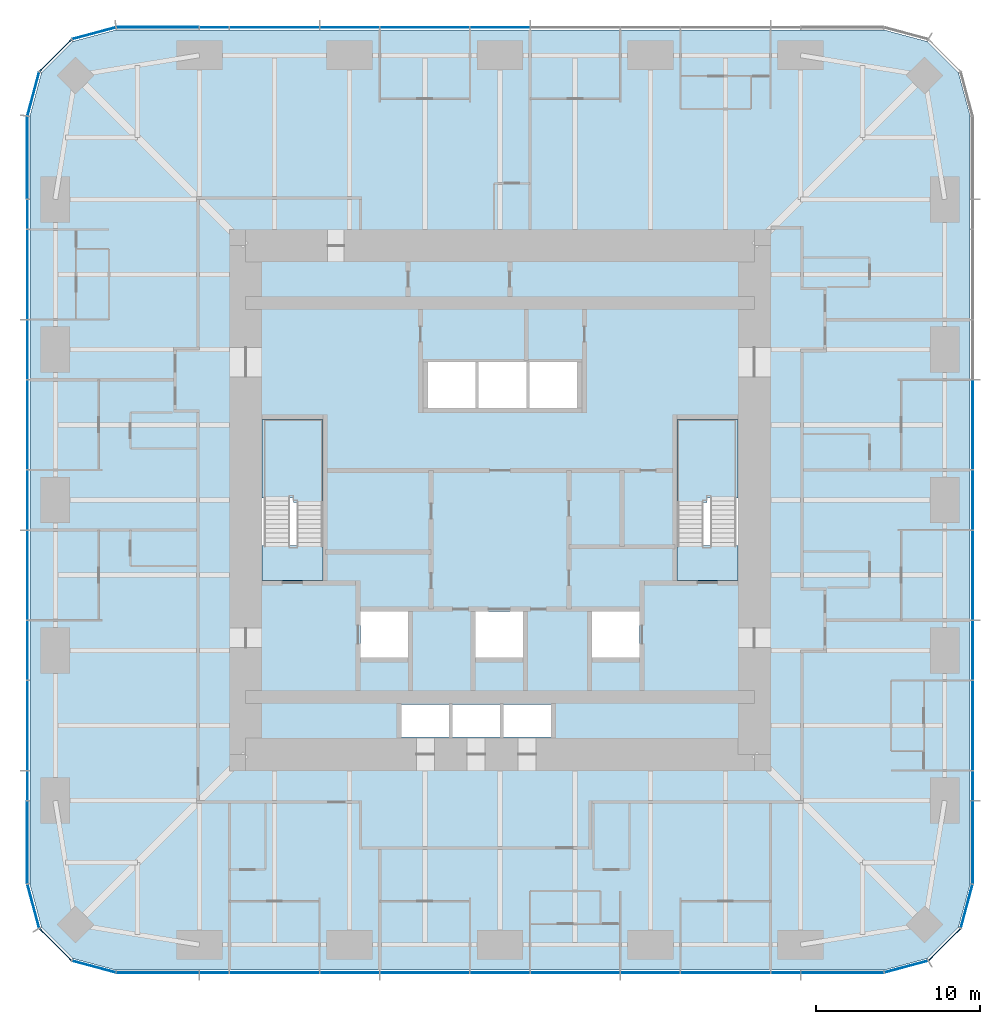
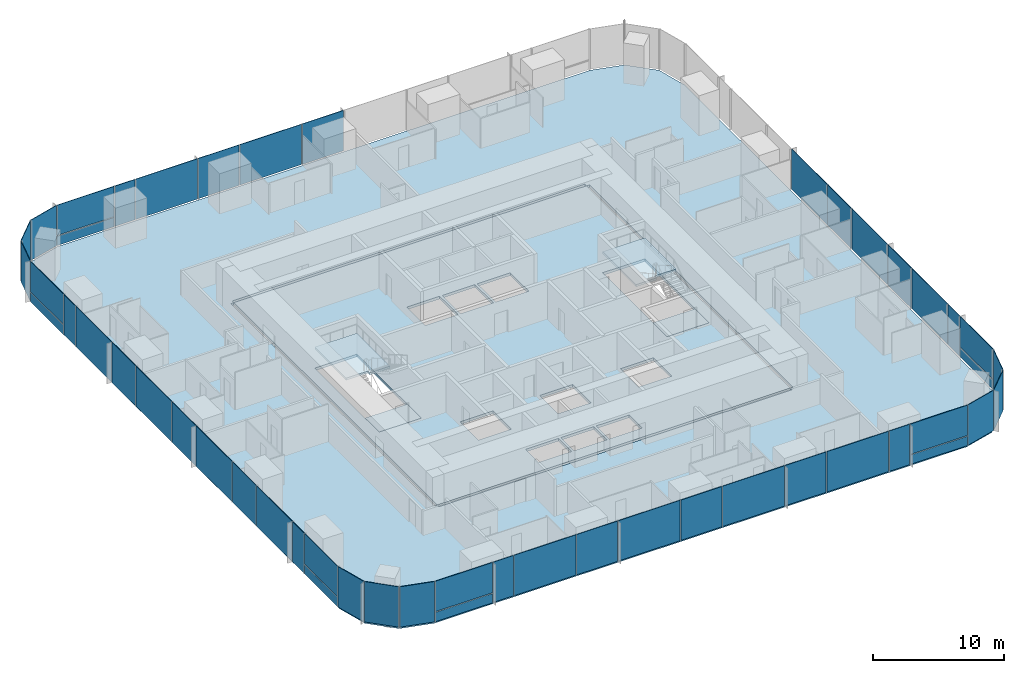
# One storey, part 7 of 13: 50 plates, 6 slabs, 9 elements without a shape of their own.
"""IFC4 building model written with IfcOpenShell, lengths in metres."""

from ifc_helpers import new_model, si_unit, direction, frame, origin, origin_2d, place, context, subcontext, project, spatial, polyline, rectangle, outline, extrude, material, layer, layer_set, type_object, element, aggregate, save


model = new_model("IFC4")

# Units and contexts
model_context = context("Model", 3, precision=1e-05, world=origin(), true_north=direction((0.0, 1.0)))
body_context = subcontext(model_context, "Body", "Model", "MODEL_VIEW")
ifc_project = project(units=[si_unit("LENGTHUNIT", "METRE"), si_unit("AREAUNIT", "SQUARE_METRE"), si_unit("VOLUMEUNIT", "CUBIC_METRE"), si_unit("PLANEANGLEUNIT", "RADIAN"), si_unit("MASSUNIT", "GRAM", prefix="KILO")], contexts=[model_context])

# Site, building, storey
site_placement = place(None, origin())
site = spatial("IfcSite", under=ifc_project, at=site_placement, CompositionType="ELEMENT")
building_placement = place(site_placement, origin())
building = spatial("IfcBuilding", under=site, at=building_placement, Name="Khuree Lantern Residences", CompositionType="ELEMENT")
storey_placement = place(building_placement, frame((0.0, 0.0, 141.0)))
storey = spatial("IfcBuildingStorey", under=building, at=storey_placement, Name="L35", CompositionType="ELEMENT", Elevation=141.0)

# Slab
ifc_material_1 = material(Name="Concrete C35/45", Category="concrete")
ifc_layer_1 = layer(ifc_material_1, 0.25)
ifc_layer_set_1 = layer_set([ifc_layer_1], Name="CFL250 CORE FLOOR SLAB 250")
slab_type_1 = type_object("IfcSlabType", Name="CFL250 CORE FLOOR SLAB 250", PredefinedType="FLOOR", material=ifc_layer_set_1)
slab_1_placement = place(storey_placement, frame((0.0, 0.0, -0.25)))
element("IfcSlab", 1, at=slab_1_placement, inside=storey, type_object=slab_type_1, Name="Core floor L35", PredefinedType="FLOOR", context=body_context, shape_type="SweptSolid", body=[
    extrude(outline(polyline([(-15.5, -15.5), (-15.5, 15.5), (15.5, 15.5), (15.5, -15.5), (-15.5, -15.5)]), holes=[polyline([(10.800048828125, 4.89990234375), (10.800048828125, -4.89990234375), (14.5, -4.89990234375), (14.5, 4.89990234375), (10.800048828125, 4.89990234375)]), polyline([(8.5, -6.800048828125), (5.60009765625, -6.800048828125), (5.60009765625, -9.60009765625), (8.5, -9.60009765625), (8.5, -6.800048828125)]), polyline([(4.699951171875, 8.39990234375), (1.800048828125, 8.39990234375), (1.800048828125, 5.60009765625), (4.699951171875, 5.60009765625), (4.699951171875, 8.39990234375)]), polyline([(3.10009765625, -12.449951171875), (0.199951171875, -12.449951171875), (0.199951171875, -14.449951171875), (3.10009765625, -14.449951171875), (3.10009765625, -12.449951171875)]), polyline([(1.60009765625, 8.39990234375), (-1.300048828125, 8.39990234375), (-1.300048828125, 5.60009765625), (1.60009765625, 5.60009765625), (1.60009765625, 8.39990234375)]), polyline([(1.39990234375, -6.800048828125), (-1.5, -6.800048828125), (-1.5, -9.60009765625), (1.39990234375, -9.60009765625), (1.39990234375, -6.800048828125)]), polyline([(-2.89990234375, -12.449951171875), (-2.89990234375, -14.449951171875), (0.0, -14.449951171875), (0.0, -12.449951171875), (-2.89990234375, -12.449951171875)]), polyline([(-4.39990234375, 8.39990234375), (-4.39990234375, 5.60009765625), (-1.5, 5.60009765625), (-1.5, 8.39990234375), (-4.39990234375, 8.39990234375)]), polyline([(-6.0, -12.449951171875), (-6.0, -14.449951171875), (-3.10009765625, -14.449951171875), (-3.10009765625, -12.449951171875), (-6.0, -12.449951171875)]), polyline([(-8.5, -6.800048828125), (-8.5, -9.60009765625), (-5.60009765625, -9.60009765625), (-5.60009765625, -6.800048828125), (-8.5, -6.800048828125)]), polyline([(-10.800048828125, 4.89990234375), (-14.5, 4.89990234375), (-14.5, -4.89990234375), (-10.800048828125, -4.89990234375), (-10.800048828125, 4.89990234375)])]), origin(), (0.0, 0.0, 1.0), 0.25),
])

# Curtain wall, plates
ifc_material_2 = material(Name="Bronze anodised aluminium", Category="aluminium")
curtain_wall_type_1 = type_object("IfcCurtainWallType", Name="CW-T2 TOWER CORNER CURTAIN WALL", PredefinedType="USERDEFINED", material=ifc_material_2)
curtain_wall_1_placement = place(storey_placement, origin())
curtain_wall_1 = element("IfcCurtainWall", 2, at=curtain_wall_1_placement, inside=storey, type_object=curtain_wall_type_1, Name="L35 SOUTH-EAST CORNER CURTAIN WALL", ObjectType="Faceted corner curtain wall", PredefinedType="USERDEFINED")
ifc_material_3 = material(Name="Bronze tinted triple glazing", Category="glass")
ifc_layer_2 = layer(ifc_material_3, 0.048095703125)
ifc_layer_set_2 = layer_set([ifc_layer_2], Name="FACET PANEL P4")
plate_type_1 = type_object("IfcPlateType", Name="FACET PANEL P4", PredefinedType="CURTAIN_PANEL", material=ifc_layer_set_2)
plate_1_placement = place(storey_placement, frame((24.748046875, -28.438720703125, 0.0), z_axis=(0.0, 0.0, 1.0), x_axis=(0.965925810153, 0.258819105321, 0.0)))
plate_1 = element("IfcPlate", 3, at=plate_1_placement, type_object=plate_type_1, Name="L35 SOUTH-EAST CORNER PANEL 1.1", PredefinedType="CURTAIN_PANEL", context=body_context, shape_type="SweptSolid", body=[
    extrude(rectangle(XDim=2.71923828125, YDim=0.048095703125, at=origin_2d()), origin(), (0.0, 0.0, 1.0), 3.75),
])
plate_2_placement = place(storey_placement, frame((27.08837890625, -27.08837890625, 0.0), z_axis=(0.0, 0.0, 1.0), x_axis=(0.707106781187, 0.707106781187, 0.0)))
plate_2 = element("IfcPlate", 4, at=plate_2_placement, type_object=plate_type_1, Name="L35 SOUTH-EAST CORNER PANEL 2.1", PredefinedType="CURTAIN_PANEL", context=body_context, shape_type="SweptSolid", body=[
    extrude(rectangle(XDim=2.715087890625, YDim=0.048095703125, at=origin_2d()), origin(), (0.0, 0.0, 1.0), 3.75),
])
plate_3_placement = place(storey_placement, frame((28.438720703125, -24.748046875, 0.0), z_axis=(0.0, 0.0, 1.0), x_axis=(0.258819105321, 0.965925810153, 0.0)))
plate_3 = element("IfcPlate", 5, at=plate_3_placement, type_object=plate_type_1, Name="L35 SOUTH-EAST CORNER PANEL 3.1", PredefinedType="CURTAIN_PANEL", context=body_context, shape_type="SweptSolid", body=[
    extrude(rectangle(XDim=2.71923828125, YDim=0.048095703125, at=origin_2d()), origin(), (0.0, 0.0, 1.0), 3.75),
])
aggregate(curtain_wall_1, [plate_1, plate_2, plate_3])

curtain_wall_2_placement = place(storey_placement, origin())
curtain_wall_2 = element("IfcCurtainWall", 6, at=curtain_wall_2_placement, inside=storey, type_object=curtain_wall_type_1, Name="L35 NORTH-WEST CORNER CURTAIN WALL", ObjectType="Faceted corner curtain wall", PredefinedType="USERDEFINED")
plate_4_placement = place(storey_placement, frame((-24.748046875, 28.438720703125, 0.0), z_axis=(0.0, 0.0, 1.0), x_axis=(-0.965925810153, -0.258819105321, 0.0)))
plate_4 = element("IfcPlate", 7, at=plate_4_placement, type_object=plate_type_1, Name="L35 NORTH-WEST CORNER PANEL 29.1", PredefinedType="CURTAIN_PANEL", context=body_context, shape_type="SweptSolid", body=[
    extrude(rectangle(XDim=2.71923828125, YDim=0.048095703125, at=origin_2d()), origin(), (0.0, 0.0, 1.0), 3.75),
])
plate_5_placement = place(storey_placement, frame((-27.08837890625, 27.08837890625, 0.0), z_axis=(0.0, 0.0, 1.0), x_axis=(-0.707106781187, -0.707106781187, 0.0)))
plate_5 = element("IfcPlate", 8, at=plate_5_placement, type_object=plate_type_1, Name="L35 NORTH-WEST CORNER PANEL 30.1", PredefinedType="CURTAIN_PANEL", context=body_context, shape_type="SweptSolid", body=[
    extrude(rectangle(XDim=2.715087890625, YDim=0.048095703125, at=origin_2d()), origin(), (0.0, 0.0, 1.0), 3.75),
])
plate_6_placement = place(storey_placement, frame((-28.438720703125, 24.748046875, 0.0), z_axis=(0.0, 0.0, 1.0), x_axis=(-0.258819105321, -0.965925810153, 0.0)))
plate_6 = element("IfcPlate", 9, at=plate_6_placement, type_object=plate_type_1, Name="L35 NORTH-WEST CORNER PANEL 31.1", PredefinedType="CURTAIN_PANEL", context=body_context, shape_type="SweptSolid", body=[
    extrude(rectangle(XDim=2.71923828125, YDim=0.048095703125, at=origin_2d()), origin(), (0.0, 0.0, 1.0), 3.75),
])
aggregate(curtain_wall_2, [plate_4, plate_5, plate_6])

curtain_wall_3_placement = place(storey_placement, origin())
curtain_wall_3 = element("IfcCurtainWall", 10, at=curtain_wall_3_placement, inside=storey, type_object=curtain_wall_type_1, Name="L35 SOUTH-WEST CORNER CURTAIN WALL", ObjectType="Faceted corner curtain wall", PredefinedType="USERDEFINED")
plate_7_placement = place(storey_placement, frame((-28.438720703125, -24.748046875, 0.0), z_axis=(0.0, 0.0, 1.0), x_axis=(0.258819105321, -0.965925810153, 0.0)))
plate_7 = element("IfcPlate", 11, at=plate_7_placement, type_object=plate_type_1, Name="L35 SOUTH-WEST CORNER PANEL 43.1", PredefinedType="CURTAIN_PANEL", context=body_context, shape_type="SweptSolid", body=[
    extrude(rectangle(XDim=2.71923828125, YDim=0.048095703125, at=origin_2d()), origin(), (0.0, 0.0, 1.0), 3.75),
])
plate_8_placement = place(storey_placement, frame((-27.08837890625, -27.08837890625, 0.0), z_axis=(0.0, 0.0, 1.0), x_axis=(0.707106781187, -0.707106781187, 0.0)))
plate_8 = element("IfcPlate", 12, at=plate_8_placement, type_object=plate_type_1, Name="L35 SOUTH-WEST CORNER PANEL 44.1", PredefinedType="CURTAIN_PANEL", context=body_context, shape_type="SweptSolid", body=[
    extrude(rectangle(XDim=2.715087890625, YDim=0.048095703125, at=origin_2d()), origin(), (0.0, 0.0, 1.0), 3.75),
])
plate_9_placement = place(storey_placement, frame((-24.748046875, -28.438720703125, 0.0), z_axis=(0.0, 0.0, 1.0), x_axis=(0.965925810153, -0.258819105321, 0.0)))
plate_9 = element("IfcPlate", 13, at=plate_9_placement, type_object=plate_type_1, Name="L35 SOUTH-WEST CORNER PANEL 45.1", PredefinedType="CURTAIN_PANEL", context=body_context, shape_type="SweptSolid", body=[
    extrude(rectangle(XDim=2.71923828125, YDim=0.048095703125, at=origin_2d()), origin(), (0.0, 0.0, 1.0), 3.75),
])
aggregate(curtain_wall_3, [plate_7, plate_8, plate_9])

curtain_wall_type_2 = type_object("IfcCurtainWallType", Name="CW-T1 TOWER FACE CURTAIN WALL", PredefinedType="USERDEFINED", material=ifc_material_2)
curtain_wall_4_placement = place(storey_placement, origin())
curtain_wall_4 = element("IfcCurtainWall", 14, at=curtain_wall_4_placement, inside=storey, type_object=curtain_wall_type_2, Name="L35 EAST FACE CURTAIN WALL", ObjectType="Stick-built curtain wall", PredefinedType="USERDEFINED")
ifc_material_4 = material(Name="Bronze tinted triple glazing with a ceramic-fritted spandrel band", Category="glass")
ifc_layer_3 = layer(ifc_material_4, 0.048095703125)
ifc_layer_set_3 = layer_set([ifc_layer_3], Name="FIXED LIGHT PANEL P11")
plate_type_2 = type_object("IfcPlateType", Name="FIXED LIGHT PANEL P11", PredefinedType="CURTAIN_PANEL", material=ifc_layer_set_3)
plate_10_placement = place(storey_placement, frame((28.800048828125, -13.739990234375, 0.0), z_axis=(0.0, 0.0, 1.0), x_axis=(0.0, 1.0, 0.0)))
plate_10 = element("IfcPlate", 15, at=plate_10_placement, type_object=plate_type_2, Name="L35 EAST FACE PANEL 6.1", PredefinedType="CURTAIN_PANEL", context=body_context, shape_type="SweptSolid", body=[
    extrude(rectangle(XDim=5.430908203125, YDim=0.048095703125, at=origin_2d()), origin(), (0.0, 0.0, 1.0), 3.75),
])
plate_11_placement = place(storey_placement, frame((28.800048828125, -4.580078125, 0.0), z_axis=(0.0, 0.0, 1.0), x_axis=(0.0, 1.0, 0.0)))
plate_11 = element("IfcPlate", 16, at=plate_11_placement, type_object=plate_type_2, Name="L35 EAST FACE PANEL 8.1", PredefinedType="CURTAIN_PANEL", context=body_context, shape_type="SweptSolid", body=[
    extrude(rectangle(XDim=5.430908203125, YDim=0.048095703125, at=origin_2d()), origin(), (0.0, 0.0, 1.0), 3.75),
])
plate_12_placement = place(storey_placement, frame((28.800048828125, 4.580078125, 0.0), z_axis=(0.0, 0.0, 1.0), x_axis=(0.0, 1.0, 0.0)))
plate_12 = element("IfcPlate", 17, at=plate_12_placement, type_object=plate_type_2, Name="L35 EAST FACE PANEL 10.1", PredefinedType="CURTAIN_PANEL", context=body_context, shape_type="SweptSolid", body=[
    extrude(rectangle(XDim=5.430908203125, YDim=0.048095703125, at=origin_2d()), origin(), (0.0, 0.0, 1.0), 3.75),
])

curtain_wall_5_placement = place(storey_placement, origin())
curtain_wall_5 = element("IfcCurtainWall", 18, at=curtain_wall_5_placement, inside=storey, type_object=curtain_wall_type_2, Name="L35 NORTH FACE CURTAIN WALL", ObjectType="Stick-built curtain wall", PredefinedType="USERDEFINED")
plate_13_placement = place(storey_placement, frame((-4.580078125, 28.800048828125, 0.0), z_axis=(0.0, 0.0, 1.0), x_axis=(-1.0, 0.0, 0.0)))
plate_13 = element("IfcPlate", 19, at=plate_13_placement, type_object=plate_type_2, Name="L35 NORTH FACE PANEL 24.1", PredefinedType="CURTAIN_PANEL", context=body_context, shape_type="SweptSolid", body=[
    extrude(rectangle(XDim=5.430908203125, YDim=0.048095703125, at=origin_2d()), origin(), (0.0, 0.0, 1.0), 3.75),
])
plate_14_placement = place(storey_placement, frame((-13.739990234375, 28.800048828125, 0.0), z_axis=(0.0, 0.0, 1.0), x_axis=(-1.0, 0.0, 0.0)))
plate_14 = element("IfcPlate", 20, at=plate_14_placement, type_object=plate_type_2, Name="L35 NORTH FACE PANEL 26.1", PredefinedType="CURTAIN_PANEL", context=body_context, shape_type="SweptSolid", body=[
    extrude(rectangle(XDim=5.430908203125, YDim=0.048095703125, at=origin_2d()), origin(), (0.0, 0.0, 1.0), 3.75),
])

curtain_wall_6_placement = place(storey_placement, origin())
curtain_wall_6 = element("IfcCurtainWall", 21, at=curtain_wall_6_placement, inside=storey, type_object=curtain_wall_type_2, Name="L35 WEST FACE CURTAIN WALL", ObjectType="Stick-built curtain wall", PredefinedType="USERDEFINED")
plate_15_placement = place(storey_placement, frame((-28.800048828125, 13.739990234375, 0.0), z_axis=(0.0, 0.0, 1.0), x_axis=(0.0, -1.0, 0.0)))
plate_15 = element("IfcPlate", 22, at=plate_15_placement, type_object=plate_type_2, Name="L35 WEST FACE PANEL 34.1", PredefinedType="CURTAIN_PANEL", context=body_context, shape_type="SweptSolid", body=[
    extrude(rectangle(XDim=5.430908203125, YDim=0.048095703125, at=origin_2d()), origin(), (0.0, 0.0, 1.0), 3.75),
])
plate_16_placement = place(storey_placement, frame((-28.800048828125, 4.580078125, 0.0), z_axis=(0.0, 0.0, 1.0), x_axis=(0.0, -1.0, 0.0)))
plate_16 = element("IfcPlate", 23, at=plate_16_placement, type_object=plate_type_2, Name="L35 WEST FACE PANEL 36.1", PredefinedType="CURTAIN_PANEL", context=body_context, shape_type="SweptSolid", body=[
    extrude(rectangle(XDim=5.430908203125, YDim=0.048095703125, at=origin_2d()), origin(), (0.0, 0.0, 1.0), 3.75),
])
plate_17_placement = place(storey_placement, frame((-28.800048828125, -4.580078125, 0.0), z_axis=(0.0, 0.0, 1.0), x_axis=(0.0, -1.0, 0.0)))
plate_17 = element("IfcPlate", 24, at=plate_17_placement, type_object=plate_type_2, Name="L35 WEST FACE PANEL 38.1", PredefinedType="CURTAIN_PANEL", context=body_context, shape_type="SweptSolid", body=[
    extrude(rectangle(XDim=5.430908203125, YDim=0.048095703125, at=origin_2d()), origin(), (0.0, 0.0, 1.0), 3.75),
])
plate_18_placement = place(storey_placement, frame((-28.800048828125, -13.739990234375, 0.0), z_axis=(0.0, 0.0, 1.0), x_axis=(0.0, -1.0, 0.0)))
plate_18 = element("IfcPlate", 25, at=plate_18_placement, type_object=plate_type_2, Name="L35 WEST FACE PANEL 40.1", PredefinedType="CURTAIN_PANEL", context=body_context, shape_type="SweptSolid", body=[
    extrude(rectangle(XDim=5.430908203125, YDim=0.048095703125, at=origin_2d()), origin(), (0.0, 0.0, 1.0), 3.75),
])

curtain_wall_7_placement = place(storey_placement, origin())
curtain_wall_7 = element("IfcCurtainWall", 26, at=curtain_wall_7_placement, inside=storey, type_object=curtain_wall_type_2, Name="L35 SOUTH FACE CURTAIN WALL", ObjectType="Stick-built curtain wall", PredefinedType="USERDEFINED")
plate_19_placement = place(storey_placement, frame((-13.739990234375, -28.800048828125, 0.0), z_axis=(0.0, 0.0, 1.0), x_axis=(1.0, 0.0, 0.0)))
plate_19 = element("IfcPlate", 27, at=plate_19_placement, type_object=plate_type_2, Name="L35 SOUTH FACE PANEL 48.1", PredefinedType="CURTAIN_PANEL", context=body_context, shape_type="SweptSolid", body=[
    extrude(rectangle(XDim=5.430908203125, YDim=0.048095703125, at=origin_2d()), origin(), (0.0, 0.0, 1.0), 3.75),
])
plate_20_placement = place(storey_placement, frame((-4.580078125, -28.800048828125, 0.0), z_axis=(0.0, 0.0, 1.0), x_axis=(1.0, 0.0, 0.0)))
plate_20 = element("IfcPlate", 28, at=plate_20_placement, type_object=plate_type_2, Name="L35 SOUTH FACE PANEL 50.1", PredefinedType="CURTAIN_PANEL", context=body_context, shape_type="SweptSolid", body=[
    extrude(rectangle(XDim=5.430908203125, YDim=0.048095703125, at=origin_2d()), origin(), (0.0, 0.0, 1.0), 3.75),
])
plate_21_placement = place(storey_placement, frame((4.580078125, -28.800048828125, 0.0), z_axis=(0.0, 0.0, 1.0), x_axis=(1.0, 0.0, 0.0)))
plate_21 = element("IfcPlate", 29, at=plate_21_placement, type_object=plate_type_2, Name="L35 SOUTH FACE PANEL 52.1", PredefinedType="CURTAIN_PANEL", context=body_context, shape_type="SweptSolid", body=[
    extrude(rectangle(XDim=5.430908203125, YDim=0.048095703125, at=origin_2d()), origin(), (0.0, 0.0, 1.0), 3.75),
])
plate_22_placement = place(storey_placement, frame((13.739990234375, -28.800048828125, 0.0), z_axis=(0.0, 0.0, 1.0), x_axis=(1.0, 0.0, 0.0)))
plate_22 = element("IfcPlate", 30, at=plate_22_placement, type_object=plate_type_2, Name="L35 SOUTH FACE PANEL 54.1", PredefinedType="CURTAIN_PANEL", context=body_context, shape_type="SweptSolid", body=[
    extrude(rectangle(XDim=5.430908203125, YDim=0.048095703125, at=origin_2d()), origin(), (0.0, 0.0, 1.0), 3.75),
])

# Slab
ifc_layer_4 = layer(ifc_material_1, 0.25)
ifc_layer_set_4 = layer_set([ifc_layer_4], Name="FS250 FLOOR SLAB 250")
slab_type_2 = type_object("IfcSlabType", Name="FS250 FLOOR SLAB 250", PredefinedType="FLOOR", material=ifc_layer_set_4)
slab_2_placement = place(storey_placement, frame((0.0, 0.0, -0.25)))
element("IfcSlab", 31, at=slab_2_placement, inside=storey, type_object=slab_type_2, Name="Floor slab L35", PredefinedType="FLOOR", context=body_context, shape_type="SweptSolid", body=[
    extrude(outline(polyline([(-26.02490234375, -27.946533203125), (-27.946533203125, -26.02490234375), (-28.64990234375, -23.39990234375), (-28.64990234375, 23.39990234375), (-27.946533203125, 26.02490234375), (-26.02490234375, 27.946533203125), (-23.39990234375, 28.64990234375), (23.39990234375, 28.64990234375), (26.02490234375, 27.946533203125), (27.946533203125, 26.02490234375), (28.64990234375, 23.39990234375), (28.64990234375, -23.39990234375), (27.946533203125, -26.02490234375), (26.02490234375, -27.946533203125), (23.39990234375, -28.64990234375), (-23.39990234375, -28.64990234375), (-26.02490234375, -27.946533203125)]), holes=[polyline([(15.75, 15.5), (15.5, 15.5), (15.5, 15.75), (-15.5, 15.75), (-15.5, 15.5), (-15.75, 15.5), (-15.75, -15.5), (-15.5, -15.5), (-15.5, -15.75), (15.5, -15.75), (15.5, -15.5), (15.75, -15.5), (15.75, 15.5)])]), origin(), (0.0, 0.0, 1.0), 0.25),
])

# Plate
ifc_material_5 = material(Name="Bronze tinted triple glazing, two aluminium-framed sashes in one frame", Category="aluminium")
ifc_layer_5 = layer(ifc_material_5, 0.048095703125)
ifc_layer_set_5 = layer_set([ifc_layer_5], Name="SASH PAIR PANEL P12")
plate_type_3 = type_object("IfcPlateType", Name="SASH PAIR PANEL P12", PredefinedType="CURTAIN_PANEL", material=ifc_layer_set_5)
plate_23_placement = place(storey_placement, frame((28.800048828125, -9.159912109375, 0.0), z_axis=(0.0, 0.0, 1.0), x_axis=(0.0, 1.0, 0.0)))
plate_23 = element("IfcPlate", 32, at=plate_23_placement, type_object=plate_type_3, Name="L35 EAST FACE PANEL 7.1", PredefinedType="CURTAIN_PANEL", context=body_context, shape_type="SweptSolid", body=[
    extrude(rectangle(XDim=3.59912109375, YDim=0.048095703125, at=origin_2d()), origin(), (0.0, 0.0, 1.0), 3.75),
])

plate_24_placement = place(storey_placement, frame((28.800048828125, 0.0, 0.0), z_axis=(0.0, 0.0, 1.0), x_axis=(0.0, 1.0, 0.0)))
plate_24 = element("IfcPlate", 33, at=plate_24_placement, type_object=plate_type_3, Name="L35 EAST FACE PANEL 9.1", PredefinedType="CURTAIN_PANEL", context=body_context, shape_type="SweptSolid", body=[
    extrude(rectangle(XDim=3.59912109375, YDim=0.048095703125, at=origin_2d()), origin(), (0.0, 0.0, 1.0), 3.75),
])

plate_25_placement = place(storey_placement, frame((0.0, 28.800048828125, 0.0), z_axis=(0.0, 0.0, 1.0), x_axis=(-1.0, 0.0, 0.0)))
plate_25 = element("IfcPlate", 34, at=plate_25_placement, type_object=plate_type_3, Name="L35 NORTH FACE PANEL 23.1", PredefinedType="CURTAIN_PANEL", context=body_context, shape_type="SweptSolid", body=[
    extrude(rectangle(XDim=3.59912109375, YDim=0.048095703125, at=origin_2d()), origin(), (0.0, 0.0, 1.0), 3.75),
])

plate_26_placement = place(storey_placement, frame((-9.159912109375, 28.800048828125, 0.0), z_axis=(0.0, 0.0, 1.0), x_axis=(-1.0, 0.0, 0.0)))
plate_26 = element("IfcPlate", 35, at=plate_26_placement, type_object=plate_type_3, Name="L35 NORTH FACE PANEL 25.1", PredefinedType="CURTAIN_PANEL", context=body_context, shape_type="SweptSolid", body=[
    extrude(rectangle(XDim=3.59912109375, YDim=0.048095703125, at=origin_2d()), origin(), (0.0, 0.0, 1.0), 3.75),
])

plate_27_placement = place(storey_placement, frame((-28.800048828125, 9.159912109375, 0.0), z_axis=(0.0, 0.0, 1.0), x_axis=(0.0, -1.0, 0.0)))
plate_27 = element("IfcPlate", 36, at=plate_27_placement, type_object=plate_type_3, Name="L35 WEST FACE PANEL 35.1", PredefinedType="CURTAIN_PANEL", context=body_context, shape_type="SweptSolid", body=[
    extrude(rectangle(XDim=3.59912109375, YDim=0.048095703125, at=origin_2d()), origin(), (0.0, 0.0, 1.0), 3.75),
])

plate_28_placement = place(storey_placement, frame((-28.800048828125, 0.0, 0.0), z_axis=(0.0, 0.0, 1.0), x_axis=(0.0, -1.0, 0.0)))
plate_28 = element("IfcPlate", 37, at=plate_28_placement, type_object=plate_type_3, Name="L35 WEST FACE PANEL 37.1", PredefinedType="CURTAIN_PANEL", context=body_context, shape_type="SweptSolid", body=[
    extrude(rectangle(XDim=3.59912109375, YDim=0.048095703125, at=origin_2d()), origin(), (0.0, 0.0, 1.0), 3.75),
])

plate_29_placement = place(storey_placement, frame((-28.800048828125, -9.159912109375, 0.0), z_axis=(0.0, 0.0, 1.0), x_axis=(0.0, -1.0, 0.0)))
plate_29 = element("IfcPlate", 38, at=plate_29_placement, type_object=plate_type_3, Name="L35 WEST FACE PANEL 39.1", PredefinedType="CURTAIN_PANEL", context=body_context, shape_type="SweptSolid", body=[
    extrude(rectangle(XDim=3.59912109375, YDim=0.048095703125, at=origin_2d()), origin(), (0.0, 0.0, 1.0), 3.75),
])

plate_30_placement = place(storey_placement, frame((-9.159912109375, -28.800048828125, 0.0), z_axis=(0.0, 0.0, 1.0), x_axis=(1.0, 0.0, 0.0)))
plate_30 = element("IfcPlate", 39, at=plate_30_placement, type_object=plate_type_3, Name="L35 SOUTH FACE PANEL 49.1", PredefinedType="CURTAIN_PANEL", context=body_context, shape_type="SweptSolid", body=[
    extrude(rectangle(XDim=3.59912109375, YDim=0.048095703125, at=origin_2d()), origin(), (0.0, 0.0, 1.0), 3.75),
])

plate_31_placement = place(storey_placement, frame((0.0, -28.800048828125, 0.0), z_axis=(0.0, 0.0, 1.0), x_axis=(1.0, 0.0, 0.0)))
plate_31 = element("IfcPlate", 40, at=plate_31_placement, type_object=plate_type_3, Name="L35 SOUTH FACE PANEL 51.1", PredefinedType="CURTAIN_PANEL", context=body_context, shape_type="SweptSolid", body=[
    extrude(rectangle(XDim=3.59912109375, YDim=0.048095703125, at=origin_2d()), origin(), (0.0, 0.0, 1.0), 3.75),
])

plate_32_placement = place(storey_placement, frame((9.159912109375, -28.800048828125, 0.0), z_axis=(0.0, 0.0, 1.0), x_axis=(1.0, 0.0, 0.0)))
plate_32 = element("IfcPlate", 41, at=plate_32_placement, type_object=plate_type_3, Name="L35 SOUTH FACE PANEL 53.1", PredefinedType="CURTAIN_PANEL", context=body_context, shape_type="SweptSolid", body=[
    extrude(rectangle(XDim=3.59912109375, YDim=0.048095703125, at=origin_2d()), origin(), (0.0, 0.0, 1.0), 3.75),
])

ifc_material_6 = material(Name="Bronze tinted triple glazing, aluminium-framed sash", Category="aluminium")
ifc_layer_6 = layer(ifc_material_6, 0.048095703125)
ifc_layer_set_6 = layer_set([ifc_layer_6], Name="SASH PANEL P3")
plate_type_4 = type_object("IfcPlateType", Name="SASH PANEL P3", PredefinedType="CURTAIN_PANEL", material=ifc_layer_set_6)
plate_33_placement = place(storey_placement, frame((28.800048828125, -17.404052734375, 0.0), z_axis=(0.0, 0.0, 1.0), x_axis=(0.0, 1.0, 0.0)))
plate_33 = element("IfcPlate", 42, at=plate_33_placement, type_object=plate_type_4, Name="L35 EAST FACE PANEL 5.1", PredefinedType="CURTAIN_PANEL", context=body_context, shape_type="SweptSolid", body=[
    extrude(rectangle(XDim=1.76708984375, YDim=0.048095703125, at=origin_2d()), origin(), (0.0, 0.0, 1.0), 3.75),
])

plate_34_placement = place(storey_placement, frame((-17.404052734375, 28.800048828125, 0.0), z_axis=(0.0, 0.0, 1.0), x_axis=(-1.0, 0.0, 0.0)))
plate_34 = element("IfcPlate", 43, at=plate_34_placement, type_object=plate_type_4, Name="L35 NORTH FACE PANEL 27.1", PredefinedType="CURTAIN_PANEL", context=body_context, shape_type="SweptSolid", body=[
    extrude(rectangle(XDim=1.76708984375, YDim=0.048095703125, at=origin_2d()), origin(), (0.0, 0.0, 1.0), 3.75),
])

plate_35_placement = place(storey_placement, frame((-28.800048828125, 17.404052734375, 0.0), z_axis=(0.0, 0.0, 1.0), x_axis=(0.0, -1.0, 0.0)))
plate_35 = element("IfcPlate", 44, at=plate_35_placement, type_object=plate_type_4, Name="L35 WEST FACE PANEL 33.1", PredefinedType="CURTAIN_PANEL", context=body_context, shape_type="SweptSolid", body=[
    extrude(rectangle(XDim=1.76708984375, YDim=0.048095703125, at=origin_2d()), origin(), (0.0, 0.0, 1.0), 3.75),
])

plate_36_placement = place(storey_placement, frame((-28.800048828125, -17.404052734375, 0.0), z_axis=(0.0, 0.0, 1.0), x_axis=(0.0, -1.0, 0.0)))
plate_36 = element("IfcPlate", 45, at=plate_36_placement, type_object=plate_type_4, Name="L35 WEST FACE PANEL 41.1", PredefinedType="CURTAIN_PANEL", context=body_context, shape_type="SweptSolid", body=[
    extrude(rectangle(XDim=1.76708984375, YDim=0.048095703125, at=origin_2d()), origin(), (0.0, 0.0, 1.0), 3.75),
])

plate_37_placement = place(storey_placement, frame((-17.404052734375, -28.800048828125, 0.0), z_axis=(0.0, 0.0, 1.0), x_axis=(1.0, 0.0, 0.0)))
plate_37 = element("IfcPlate", 46, at=plate_37_placement, type_object=plate_type_4, Name="L35 SOUTH FACE PANEL 47.1", PredefinedType="CURTAIN_PANEL", context=body_context, shape_type="SweptSolid", body=[
    extrude(rectangle(XDim=1.76708984375, YDim=0.048095703125, at=origin_2d()), origin(), (0.0, 0.0, 1.0), 3.75),
])

plate_38_placement = place(storey_placement, frame((17.404052734375, -28.800048828125, 0.0), z_axis=(0.0, 0.0, 1.0), x_axis=(1.0, 0.0, 0.0)))
plate_38 = element("IfcPlate", 47, at=plate_38_placement, type_object=plate_type_4, Name="L35 SOUTH FACE PANEL 55.1", PredefinedType="CURTAIN_PANEL", context=body_context, shape_type="SweptSolid", body=[
    extrude(rectangle(XDim=1.76708984375, YDim=0.048095703125, at=origin_2d()), origin(), (0.0, 0.0, 1.0), 3.75),
])

ifc_material_7 = material(Name="Bronze anodised aluminium insulated spandrel", Category="aluminium")
ifc_layer_7 = layer(ifc_material_7, 0.06005859375)
ifc_layer_set_7 = layer_set([ifc_layer_7], Name="SPANDREL PANEL P2")
plate_type_5 = type_object("IfcPlateType", Name="SPANDREL PANEL P2", PredefinedType="CURTAIN_PANEL", material=ifc_layer_set_7)
plate_39_placement = place(storey_placement, frame((28.800048828125, -20.85791015625, 0.0), z_axis=(0.0, 0.0, 1.0), x_axis=(0.0, 1.0, 0.0)))
plate_39 = element("IfcPlate", 48, at=plate_39_placement, type_object=plate_type_5, Name="L35 EAST FACE PANEL 4.1", PredefinedType="CURTAIN_PANEL", context=body_context, shape_type="SweptSolid", body=[
    extrude(rectangle(XDim=5.0107421875, YDim=0.06005859375, at=origin_2d()), origin(), (0.0, 0.0, 1.0), 0.867431640625),
])

plate_40_placement = place(storey_placement, frame((-20.85791015625, 28.800048828125, 0.0), z_axis=(0.0, 0.0, 1.0), x_axis=(-1.0, 0.0, 0.0)))
plate_40 = element("IfcPlate", 49, at=plate_40_placement, type_object=plate_type_5, Name="L35 NORTH FACE PANEL 28.1", PredefinedType="CURTAIN_PANEL", context=body_context, shape_type="SweptSolid", body=[
    extrude(rectangle(XDim=5.0107421875, YDim=0.06005859375, at=origin_2d()), origin(), (0.0, 0.0, 1.0), 0.867431640625),
])

plate_41_placement = place(storey_placement, frame((-28.800048828125, 20.85791015625, 0.0), z_axis=(0.0, 0.0, 1.0), x_axis=(0.0, -1.0, 0.0)))
plate_41 = element("IfcPlate", 50, at=plate_41_placement, type_object=plate_type_5, Name="L35 WEST FACE PANEL 32.1", PredefinedType="CURTAIN_PANEL", context=body_context, shape_type="SweptSolid", body=[
    extrude(rectangle(XDim=5.0107421875, YDim=0.06005859375, at=origin_2d()), origin(), (0.0, 0.0, 1.0), 0.867431640625),
])

plate_42_placement = place(storey_placement, frame((-28.800048828125, -20.85791015625, 0.0), z_axis=(0.0, 0.0, 1.0), x_axis=(0.0, -1.0, 0.0)))
plate_42 = element("IfcPlate", 51, at=plate_42_placement, type_object=plate_type_5, Name="L35 WEST FACE PANEL 42.1", PredefinedType="CURTAIN_PANEL", context=body_context, shape_type="SweptSolid", body=[
    extrude(rectangle(XDim=5.0107421875, YDim=0.06005859375, at=origin_2d()), origin(), (0.0, 0.0, 1.0), 0.867431640625),
])

plate_43_placement = place(storey_placement, frame((-20.85791015625, -28.800048828125, 0.0), z_axis=(0.0, 0.0, 1.0), x_axis=(1.0, 0.0, 0.0)))
plate_43 = element("IfcPlate", 52, at=plate_43_placement, type_object=plate_type_5, Name="L35 SOUTH FACE PANEL 46.1", PredefinedType="CURTAIN_PANEL", context=body_context, shape_type="SweptSolid", body=[
    extrude(rectangle(XDim=5.0107421875, YDim=0.06005859375, at=origin_2d()), origin(), (0.0, 0.0, 1.0), 0.867431640625),
])

plate_44_placement = place(storey_placement, frame((20.85791015625, -28.800048828125, 0.0), z_axis=(0.0, 0.0, 1.0), x_axis=(1.0, 0.0, 0.0)))
plate_44 = element("IfcPlate", 53, at=plate_44_placement, type_object=plate_type_5, Name="L35 SOUTH FACE PANEL 56.1", PredefinedType="CURTAIN_PANEL", context=body_context, shape_type="SweptSolid", body=[
    extrude(rectangle(XDim=5.0107421875, YDim=0.06005859375, at=origin_2d()), origin(), (0.0, 0.0, 1.0), 0.867431640625),
])

# Stair, slabs
ifc_material_8 = material(Name="Concrete C40/50", Category="concrete")
stair_type = type_object("IfcStairType", Name="STAIR ST1 HALF TURN 3600", PredefinedType="HALF_TURN_STAIR", material=ifc_material_8)
stair_1_placement = place(storey_placement, origin())
stair_1 = element("IfcStair", 54, at=stair_1_placement, inside=storey, type_object=stair_type, Name="Stair ST1", PredefinedType="HALF_TURN_STAIR")
ifc_layer_8 = layer(ifc_material_8, 0.199951171875)
ifc_layer_set_8 = layer_set([ifc_layer_8], Name="STAIR LANDING SL1 200")
slab_type_3 = type_object("IfcSlabType", Name="STAIR LANDING SL1 200", PredefinedType="LANDING", material=ifc_layer_set_8)
slab_3_placement = place(storey_placement, frame((0.0, 0.0, -0.199951171875)))
slab_3 = element("IfcSlab", 55, at=slab_3_placement, type_object=slab_type_3, Name="ST1 landing 1", PredefinedType="LANDING", context=body_context, shape_type="SweptSolid", body=[
    extrude(outline(polyline([(-14.5, -4.89990234375), (-10.800048828125, -4.89990234375), (-10.800048828125, -2.760009765625), (-14.5, -2.760009765625), (-14.5, -4.89990234375)])), origin(), (0.0, 0.0, 1.0), 0.199951171875),
])
slab_4_placement = place(storey_placement, frame((0.0, 0.0, 1.756591796875)))
slab_4 = element("IfcSlab", 56, at=slab_4_placement, type_object=slab_type_3, Name="ST1 landing 2", PredefinedType="LANDING", context=body_context, shape_type="SweptSolid", body=[
    extrude(outline(polyline([(-14.5, 0.1201171875), (-14.5, 4.89990234375), (-10.800048828125, 4.89990234375), (-10.800048828125, -0.159912109375), (-12.60009765625, -0.159912109375), (-12.60009765625, 0.1201171875), (-14.5, 0.1201171875)])), origin(), (0.0, 0.0, 1.0), 0.199951171875),
])
aggregate(stair_1, [slab_3, slab_4])

stair_2_placement = place(storey_placement, origin())
stair_2 = element("IfcStair", 57, at=stair_2_placement, inside=storey, type_object=stair_type, Name="Stair ST2", PredefinedType="HALF_TURN_STAIR")
slab_5_placement = place(storey_placement, frame((0.0, 0.0, -0.199951171875)))
slab_5 = element("IfcSlab", 58, at=slab_5_placement, type_object=slab_type_3, Name="ST2 landing 1", PredefinedType="LANDING", context=body_context, shape_type="SweptSolid", body=[
    extrude(outline(polyline([(10.800048828125, -4.89990234375), (14.5, -4.89990234375), (14.5, -2.760009765625), (10.800048828125, -2.760009765625), (10.800048828125, -4.89990234375)])), origin(), (0.0, 0.0, 1.0), 0.199951171875),
])
slab_6_placement = place(storey_placement, frame((0.0, 0.0, 1.756591796875)))
slab_6 = element("IfcSlab", 59, at=slab_6_placement, type_object=slab_type_3, Name="ST2 landing 2", PredefinedType="LANDING", context=body_context, shape_type="SweptSolid", body=[
    extrude(outline(polyline([(14.5, 4.89990234375), (14.5, 0.1201171875), (12.60009765625, 0.1201171875), (12.60009765625, -0.159912109375), (10.800048828125, -0.159912109375), (10.800048828125, 4.89990234375), (14.5, 4.89990234375)])), origin(), (0.0, 0.0, 1.0), 0.199951171875),
])
aggregate(stair_2, [slab_5, slab_6])

# Plate
ifc_layer_9 = layer(ifc_material_3, 0.048095703125)
ifc_layer_set_9 = layer_set([ifc_layer_9], Name="VISION PANEL P1")
plate_type_6 = type_object("IfcPlateType", Name="VISION PANEL P1", PredefinedType="CURTAIN_PANEL", material=ifc_layer_set_9)
plate_45_placement = place(storey_placement, frame((28.800048828125, -20.8583984375, 0.9326171875), z_axis=(0.0, 0.0, 1.0), x_axis=(0.0, 1.0, 0.0)))
plate_45 = element("IfcPlate", 60, at=plate_45_placement, type_object=plate_type_6, Name="L35 EAST FACE PANEL 4.2", PredefinedType="CURTAIN_PANEL", context=body_context, shape_type="SweptSolid", body=[
    extrude(rectangle(XDim=5.011474609375, YDim=0.048095703125, at=origin_2d()), origin(), (0.0, 0.0, 1.0), 2.8173828125),
])

aggregate(curtain_wall_4, [plate_39, plate_45, plate_33, plate_10, plate_23, plate_11, plate_24, plate_12])

plate_46_placement = place(storey_placement, frame((-20.8583984375, 28.800048828125, 0.9326171875), z_axis=(0.0, 0.0, 1.0), x_axis=(-1.0, 0.0, 0.0)))
plate_46 = element("IfcPlate", 61, at=plate_46_placement, type_object=plate_type_6, Name="L35 NORTH FACE PANEL 28.2", PredefinedType="CURTAIN_PANEL", context=body_context, shape_type="SweptSolid", body=[
    extrude(rectangle(XDim=5.011474609375, YDim=0.048095703125, at=origin_2d()), origin(), (0.0, 0.0, 1.0), 2.8173828125),
])

aggregate(curtain_wall_5, [plate_25, plate_13, plate_26, plate_14, plate_34, plate_40, plate_46])

plate_47_placement = place(storey_placement, frame((-28.800048828125, 20.8583984375, 0.9326171875), z_axis=(0.0, 0.0, 1.0), x_axis=(0.0, -1.0, 0.0)))
plate_47 = element("IfcPlate", 62, at=plate_47_placement, type_object=plate_type_6, Name="L35 WEST FACE PANEL 32.2", PredefinedType="CURTAIN_PANEL", context=body_context, shape_type="SweptSolid", body=[
    extrude(rectangle(XDim=5.011474609375, YDim=0.048095703125, at=origin_2d()), origin(), (0.0, 0.0, 1.0), 2.8173828125),
])

plate_48_placement = place(storey_placement, frame((-28.800048828125, -20.8583984375, 0.9326171875), z_axis=(0.0, 0.0, 1.0), x_axis=(0.0, -1.0, 0.0)))
plate_48 = element("IfcPlate", 63, at=plate_48_placement, type_object=plate_type_6, Name="L35 WEST FACE PANEL 42.2", PredefinedType="CURTAIN_PANEL", context=body_context, shape_type="SweptSolid", body=[
    extrude(rectangle(XDim=5.011474609375, YDim=0.048095703125, at=origin_2d()), origin(), (0.0, 0.0, 1.0), 2.8173828125),
])

aggregate(curtain_wall_6, [plate_41, plate_47, plate_35, plate_15, plate_27, plate_16, plate_28, plate_17, plate_29, plate_18, plate_36, plate_42, plate_48])

plate_49_placement = place(storey_placement, frame((-20.8583984375, -28.800048828125, 0.9326171875), z_axis=(0.0, 0.0, 1.0), x_axis=(1.0, 0.0, 0.0)))
plate_49 = element("IfcPlate", 64, at=plate_49_placement, type_object=plate_type_6, Name="L35 SOUTH FACE PANEL 46.2", PredefinedType="CURTAIN_PANEL", context=body_context, shape_type="SweptSolid", body=[
    extrude(rectangle(XDim=5.011474609375, YDim=0.048095703125, at=origin_2d()), origin(), (0.0, 0.0, 1.0), 2.8173828125),
])

plate_50_placement = place(storey_placement, frame((20.8583984375, -28.800048828125, 0.9326171875), z_axis=(0.0, 0.0, 1.0), x_axis=(1.0, 0.0, 0.0)))
plate_50 = element("IfcPlate", 65, at=plate_50_placement, type_object=plate_type_6, Name="L35 SOUTH FACE PANEL 56.2", PredefinedType="CURTAIN_PANEL", context=body_context, shape_type="SweptSolid", body=[
    extrude(rectangle(XDim=5.011474609375, YDim=0.048095703125, at=origin_2d()), origin(), (0.0, 0.0, 1.0), 2.8173828125),
])

aggregate(curtain_wall_7, [plate_43, plate_49, plate_37, plate_19, plate_30, plate_20, plate_31, plate_21, plate_32, plate_22, plate_38, plate_44, plate_50])

save(model, "model.ifc")
